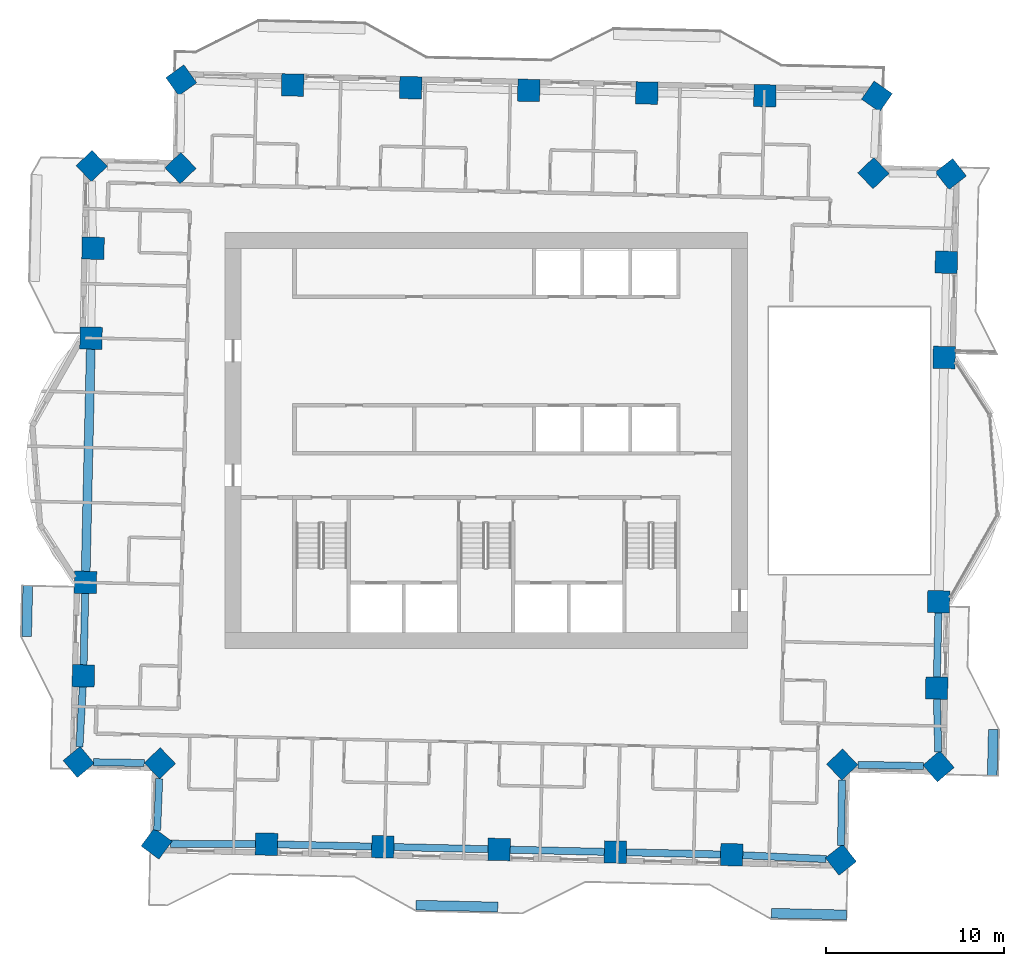
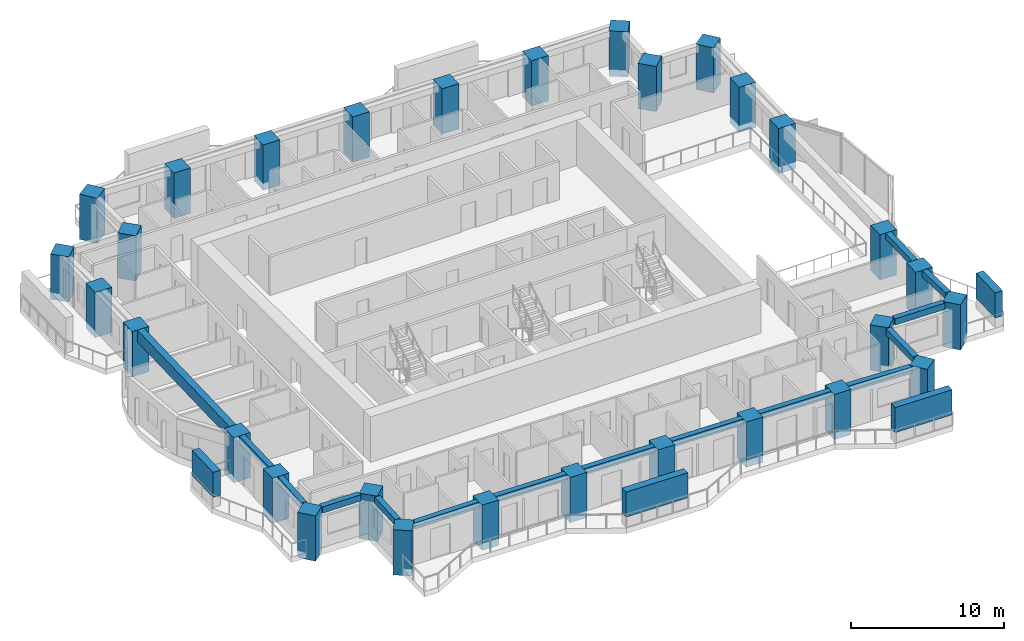
# One storey, part 1 of 15: 30 columns, 15 beams, 4 members.
"""IFC4 building model written with IfcOpenShell, lengths in metres."""

from ifc_helpers import new_model, si_unit, direction, frame, origin, origin_2d, place, context, subcontext, project, spatial, rectangle, extrude, material, material_profile, profile_set, type_object, element, save


model = new_model("IFC4")

# Units and contexts
model_context = context("Model", 3, precision=1e-05, world=origin(), true_north=direction((0.0, 1.0)))
body_context = subcontext(model_context, "Body", "Model", "MODEL_VIEW")
ifc_project = project(units=[si_unit("LENGTHUNIT", "METRE"), si_unit("AREAUNIT", "SQUARE_METRE"), si_unit("VOLUMEUNIT", "CUBIC_METRE"), si_unit("PLANEANGLEUNIT", "RADIAN"), si_unit("MASSUNIT", "GRAM", prefix="KILO")], contexts=[model_context])

# Site, building, storey
site_placement = place(None, origin())
site = spatial("IfcSite", under=ifc_project, at=site_placement, CompositionType="ELEMENT")
building_placement = place(site_placement, origin())
building = spatial("IfcBuilding", under=site, at=building_placement, Name="Mangrove Gate Tower", CompositionType="ELEMENT")
storey_placement = place(building_placement, frame((0.0, 0.0, 156.300048828125)))
storey = spatial("IfcBuildingStorey", under=building, at=storey_placement, Name="L39", CompositionType="ELEMENT", Elevation=156.300048828125)

# Columns
ifc_material_1 = material(Name="Concrete C60/75", Category="concrete")
ifc_material_profile_1 = material_profile(ifc_material_1, rectangle(XDim=1.25, YDim=1.25, at=origin_2d()))
ifc_profile_set_1 = profile_set([ifc_material_profile_1], Name="Concrete C60/75")
column_type = type_object("IfcColumnType", Name="Column RC 1250x1250 C60/75", PredefinedType="COLUMN", material=ifc_profile_set_1)
for number, where, z_axis, x_axis, name in (
    (1, (-22.565185546875, -7.979248046875, -0.550048828125), (0.0, 0.0, 1.0), (-0.022667651322, -0.999743055782, 0.0), "Column L39 W05"),
    (2, (-22.68408203125, -13.240234375, -0.550048828125), (0.0, 0.0, 1.0), (-0.022613490188, -0.999744282335, 0.0), "Column L39 W06"),
    (3, (-22.9482421875, -18.08642578125, -0.550048828125), (0.0, 0.0, 1.0), (0.640873753585, -0.767646293527, 0.0), "Column L39 W07"),
    (4, (-18.378173828125, -18.1591796875, -0.550048828125), (0.0, 0.0, 1.0), (0.690859559249, -0.722988982899, 0.0), "Column L39 W08"),
    (5, (-18.563232421875, -22.686767578125, -0.550048828125), (0.0, 0.0, 1.0), (0.804996144733, -0.593280040929, 0.0), "Column L39 S01"),
    (6, (-12.374755859375, -22.713134765625, -0.550048828125), (0.0, 0.0, 1.0), (0.999742702367, -0.022683233105, 0.0), "Column L39 S02"),
    (7, (-5.829833984375, -22.862060546875, -0.550048828125), (0.0, 0.0, 1.0), (0.999742702367, -0.022683233105, 0.0), "Column L39 S03"),
    (8, (0.715087890625, -23.01025390625, -0.550048828125), (0.0, 0.0, 1.0), (0.999742702367, -0.022683233105, 0.0), "Column L39 S04"),
    (9, (7.26025390625, -23.1591796875, -0.550048828125), (0.0, 0.0, 1.0), (0.999742702367, -0.022683233105, 0.0), "Column L39 S05"),
    (10, (13.80517578125, -23.30712890625, -0.550048828125), (0.0, 0.0, 1.0), (0.999742702367, -0.022683233105, 0.0), "Column L39 S06"),
    (11, (19.94921875, -23.590087890625, -0.550048828125), (0.0, 0.0, 1.0), (0.785651346068, 0.618669509853, 0.0), "Column L39 S07"),
    (12, (20.026123046875, -18.230224609375, -0.550048828125), (0.0, 0.0, 1.0), (0.722965976266, 0.690883635037, 0.0), "Column L39 E01"),
    (13, (25.449462890625, -18.3310546875, -0.550048828125), (0.0, 0.0, 1.0), (0.758167511602, 0.65205983188, 0.0), "Column L39 E02"),
    (14, (25.342041015625, -13.9296875, -0.550048828125), (0.0, 0.0, 1.0), (0.022726069892, 0.999741729522, 0.0), "Column L39 E03"),
    (15, (25.453125, -9.06884765625, -0.550048828125), (0.0, 0.0, 1.0), (0.022725057863, 0.999741752527, 0.0), "Column L39 E04"),
    (16, (25.76513671875, 4.67919921875, -0.550048828125), (0.0, 0.0, 1.0), (0.022654843895, 0.999743346088, 0.0), "Column L39 E05"),
    (17, (25.88623046875, 10.0390625, -0.550048828125), (0.0, 0.0, 1.0), (0.022659973846, 0.999743229827, 0.0), "Column L39 E06"),
    (18, (26.140869140625, 15.000732421875, -0.550048828125), (0.0, 0.0, 1.0), (-0.616591984417, 0.787282874672, 0.0), "Column L39 E07"),
    (19, (21.7822265625, 15.05419921875, -0.550048828125), (0.0, 0.0, 1.0), (-0.690854032309, 0.722994264183, 0.0), "Column L39 E08"),
    (20, (21.977294921875, 19.371826171875, -0.550048828125), (0.0, 0.0, 1.0), (-0.821084149613, 0.570807164684, 0.0), "Column L39 N01"),
    (21, (15.6748046875, 19.4111328125, -0.550048828125), (0.0, 0.0, 1.0), (-0.999741913136, 0.022717991104, 0.0), "Column L39 N02"),
    (22, (9.02978515625, 19.562255859375, -0.550048828125), (0.0, 0.0, 1.0), (-0.999741913136, 0.022717991104, 0.0), "Column L39 N03"),
    (23, (2.384765625, 19.713134765625, -0.550048828125), (0.0, 0.0, 1.0), (-0.999743618843, 0.022642804212, 0.0), "Column L39 N04"),
    (24, (-4.26025390625, 19.86328125, -0.550048828125), (0.0, 0.0, 1.0), (-0.999743618843, 0.022642804212, 0.0), "Column L39 N05"),
    (25, (-10.9052734375, 20.01416015625, -0.550048828125), (0.0, 0.0, 1.0), (-0.999741913136, 0.022717991104, 0.0), "Column L39 N06"),
    (26, (-17.171630859375, 20.2822265625, -0.550048828125), (0.0, 0.0, 1.0), (-0.812545678333, -0.582897521545, 0.0), "Column L39 N07"),
    (27, (-17.21728515625, 15.339111328125, -0.550048828125), (0.0, 0.0, 1.0), (-0.722976563275, -0.690872556232, 0.0), "Column L39 W01"),
    (28, (-22.21337890625, 15.455810546875, -0.550048828125), (0.0, 0.0, 1.0), (-0.718744863036, -0.695273918581, 0.0), "Column L39 W02"),
    (29, (-22.13818359375, 10.829833984375, -0.550048828125), (0.0, 0.0, 1.0), (-0.022716926728, -0.999741937322, 0.0), "Column L39 W03"),
    (30, (-22.253173828125, 5.768798828125, -0.550048828125), (0.0, 0.0, 1.0), (-0.022696057972, -0.9997424113, 0.0), "Column L39 W04"),
):
    element("IfcColumn", number, at=place(storey_placement, frame(where, z_axis=z_axis, x_axis=x_axis)), inside=storey, type_object=column_type, Name=name, PredefinedType="COLUMN", context=body_context, shape_type="SweptSolid", body=[
        extrude(rectangle(XDim=1.25, YDim=1.25, at=origin_2d()), origin(), (0.0, 0.0, 1.0), 3.60009765625),
    ])

# Members
ifc_material_2 = material(Name="Planting on aluminium trellis", Category="aluminium")
ifc_material_profile_2 = material_profile(ifc_material_2, rectangle(XDim=0.550048828125, YDim=2.0, at=origin_2d()))
ifc_profile_set_2 = profile_set([ifc_material_profile_2], Name="Planting on aluminium trellis")
member_type = type_object("IfcMemberType", Name="Balcony greenery screen 550x2000", PredefinedType="USERDEFINED", material=ifc_profile_set_2)
member_1_placement = place(storey_placement, frame((28.470947265625, -18.864013671875, 1.800048828125), z_axis=(0.022725671683, 0.999741738574, 0.0), x_axis=(-0.999741738574, 0.022725671683, 0.0)))
element("IfcMember", 31, at=member_1_placement, inside=storey, type_object=member_type, Name="GREEN SCREEN L39 E0.1", ObjectType="PLANTING", PredefinedType="USERDEFINED", context=body_context, shape_type="SweptSolid", body=[
    extrude(rectangle(XDim=0.550048828125, YDim=2.0, at=origin_2d()), origin(), (0.0, 0.0, 1.0), 2.599853515625),
])
member_2_placement = place(storey_placement, frame((-25.875, -11.029052734375, 1.800048828125), z_axis=(0.022590224177, 0.999744808324, 0.0), x_axis=(-0.999744808324, 0.022590224177, 0.0)))
element("IfcMember", 32, at=member_2_placement, inside=storey, type_object=member_type, Name="GREEN SCREEN L39 W1.1", ObjectType="PLANTING", PredefinedType="USERDEFINED", context=body_context, shape_type="SweptSolid", body=[
    extrude(rectangle(XDim=0.550048828125, YDim=2.0, at=origin_2d()), origin(), (0.0, 0.0, 1.0), 2.874755859375),
])
member_3_placement = place(storey_placement, frame((-3.95703125, -26.14501953125, 1.800048828125), z_axis=(0.999739473419, -0.022825102133, 0.0), x_axis=(0.022825102133, 0.999739473419, 0.0)))
element("IfcMember", 33, at=member_3_placement, inside=storey, type_object=member_type, Name="GREEN SCREEN L39 S0.1", ObjectType="PLANTING", PredefinedType="USERDEFINED", context=body_context, shape_type="SweptSolid", body=[
    extrude(rectangle(XDim=0.550048828125, YDim=2.0, at=origin_2d()), origin(), (0.0, 0.0, 1.0), 4.599365234375),
])
member_4_placement = place(storey_placement, frame((16.037109375, -26.59912109375, 1.800048828125), z_axis=(0.999743912282, -0.022629844346, 0.0), x_axis=(0.022629844346, 0.999743912282, 0.0)))
element("IfcMember", 34, at=member_4_placement, inside=storey, type_object=member_type, Name="GREEN SCREEN L39 S1.1", ObjectType="PLANTING", PredefinedType="USERDEFINED", context=body_context, shape_type="SweptSolid", body=[
    extrude(rectangle(XDim=0.550048828125, YDim=2.0, at=origin_2d()), origin(), (0.0, 0.0, 1.0), 4.23974609375),
])

# Beams
ifc_material_3 = material(Name="Concrete C50/60", Category="concrete")
ifc_material_profile_3 = material_profile(ifc_material_3, rectangle(XDim=0.39990234375, YDim=0.5, at=origin_2d()))
ifc_profile_set_3 = profile_set([ifc_material_profile_3], Name="Concrete C50/60")
beam_type_1 = type_object("IfcBeamType", Name="Edge beam RC 400x500 C50/60", PredefinedType="BEAM", material=ifc_profile_set_3)
beam_1_placement = place(storey_placement, frame((-22.579345703125, -8.60400390625, 2.800048828125), z_axis=(-0.02257489059, -0.999745154684, 0.0), x_axis=(0.999745154684, -0.02257489059, 0.0)))
element("IfcBeam", 35, at=beam_1_placement, inside=storey, type_object=beam_type_1, Name="Edge beam L39 00", PredefinedType="BEAM", context=body_context, shape_type="SweptSolid", body=[
    extrude(rectangle(XDim=0.39990234375, YDim=0.5, at=origin_2d()), origin(), (0.0, 0.0, 1.0), 4.01220703125),
])
beam_2_placement = place(storey_placement, frame((-22.71826171875, -13.864501953125, 2.800048828125), z_axis=(-0.054415957845, -0.998518354129, 0.0), x_axis=(0.998518354129, -0.054415957845, 0.0)))
element("IfcBeam", 36, at=beam_2_placement, inside=storey, type_object=beam_type_1, Name="Edge beam L39 01", PredefinedType="BEAM", context=body_context, shape_type="SweptSolid", body=[
    extrude(rectangle(XDim=0.39990234375, YDim=0.5, at=origin_2d()), origin(), (0.0, 0.0, 1.0), 3.373779296875),
])
beam_3_placement = place(storey_placement, frame((-22.123046875, -18.099609375, 2.800048828125), z_axis=(0.999873252746, -0.015921006324, 0.0), x_axis=(0.015921006324, 0.999873252746, 0.0)))
element("IfcBeam", 37, at=beam_3_placement, inside=storey, type_object=beam_type_1, Name="Edge beam L39 02", PredefinedType="BEAM", context=body_context, shape_type="SweptSolid", body=[
    extrude(rectangle(XDim=0.39990234375, YDim=0.5, at=origin_2d()), origin(), (0.0, 0.0, 1.0), 2.867431640625),
])
beam_4_placement = place(storey_placement, frame((-18.41357421875, -19.02685546875, 2.800048828125), z_axis=(-0.040876425579, -0.999164209643, 0.0), x_axis=(0.999164209643, -0.040876425579, 0.0)))
element("IfcBeam", 38, at=beam_4_placement, inside=storey, type_object=beam_type_1, Name="Edge beam L39 03", PredefinedType="BEAM", context=body_context, shape_type="SweptSolid", body=[
    extrude(rectangle(XDim=0.39990234375, YDim=0.5, at=origin_2d()), origin(), (0.0, 0.0, 1.0), 2.90869140625),
])
beam_5_placement = place(storey_placement, frame((-17.789306640625, -22.690185546875, 2.800048828125), z_axis=(0.999991049338, -0.004230986241, 0.0), x_axis=(0.004230986241, 0.999991049338, 0.0)))
element("IfcBeam", 39, at=beam_5_placement, inside=storey, type_object=beam_type_1, Name="Edge beam L39 04", PredefinedType="BEAM", context=body_context, shape_type="SweptSolid", body=[
    extrude(rectangle(XDim=0.39990234375, YDim=0.5, at=origin_2d()), origin(), (0.0, 0.0, 1.0), 4.789306640625),
])
for number, where, z_axis, x_axis, name in (
    (40, (-11.75, -22.727294921875, 2.800048828125), (0.999740739783, -0.022769567794, 0.0), (0.022769567794, 0.999740739783, 0.0), "Edge beam L39 05"),
    (41, (-5.205078125, -22.876220703125, 2.800048828125), (0.999743877925, -0.022631362105, 0.0), (0.022631362105, 0.999743877925, 0.0), "Edge beam L39 06"),
):
    element("IfcBeam", number, at=place(storey_placement, frame(where, z_axis=z_axis, x_axis=x_axis)), inside=storey, type_object=beam_type_1, Name=name, PredefinedType="BEAM", context=body_context, shape_type="SweptSolid", body=[
        extrude(rectangle(XDim=0.39990234375, YDim=0.5, at=origin_2d()), origin(), (0.0, 0.0, 1.0), 5.296875),
    ])
beam_6_placement = place(storey_placement, frame((1.340087890625, -23.0244140625, 2.800048828125), z_axis=(0.999740715885, -0.022770617071, 0.0), x_axis=(0.022770617071, 0.999740715885, 0.0)))
element("IfcBeam", 42, at=beam_6_placement, inside=storey, type_object=beam_type_1, Name="Edge beam L39 07", PredefinedType="BEAM", context=body_context, shape_type="SweptSolid", body=[
    extrude(rectangle(XDim=0.39990234375, YDim=0.5, at=origin_2d()), origin(), (0.0, 0.0, 1.0), 5.296630859375),
])
beam_7_placement = place(storey_placement, frame((7.885009765625, -23.17333984375, 2.800048828125), z_axis=(0.999744919731, -0.022585293253, 0.0), x_axis=(0.022585293253, 0.999744919731, 0.0)))
element("IfcBeam", 43, at=beam_7_placement, inside=storey, type_object=beam_type_1, Name="Edge beam L39 08", PredefinedType="BEAM", context=body_context, shape_type="SweptSolid", body=[
    extrude(rectangle(XDim=0.39990234375, YDim=0.5, at=origin_2d()), origin(), (0.0, 0.0, 1.0), 5.296875),
])
beam_8_placement = place(storey_placement, frame((14.4296875, -23.3359375, 2.800048828125), z_axis=(0.998942344902, -0.045980338859, 0.0), x_axis=(0.045980338859, 0.998942344902, 0.0)))
element("IfcBeam", 44, at=beam_8_placement, inside=storey, type_object=beam_type_1, Name="Edge beam L39 09", PredefinedType="BEAM", context=body_context, shape_type="SweptSolid", body=[
    extrude(rectangle(XDim=0.39990234375, YDim=0.5, at=origin_2d()), origin(), (0.0, 0.0, 1.0), 4.698974609375),
])
beam_9_placement = place(storey_placement, frame((19.9609375, -22.785400390625, 2.800048828125), z_axis=(0.014333541957, 0.999897269511, 0.0), x_axis=(-0.999897269511, 0.014333541957, 0.0)))
element("IfcBeam", 45, at=beam_9_placement, inside=storey, type_object=beam_type_1, Name="Edge beam L39 10", PredefinedType="BEAM", context=body_context, shape_type="SweptSolid", body=[
    extrude(rectangle(XDim=0.39990234375, YDim=0.5, at=origin_2d()), origin(), (0.0, 0.0, 1.0), 3.67919921875),
])
beam_10_placement = place(storey_placement, frame((20.90625, -18.24658203125, 2.800048828125), z_axis=(0.999827422602, -0.018577540566, 0.0), x_axis=(0.018577540566, 0.999827422602, 0.0)))
element("IfcBeam", 46, at=beam_10_placement, inside=storey, type_object=beam_type_1, Name="Edge beam L39 11", PredefinedType="BEAM", context=body_context, shape_type="SweptSolid", body=[
    extrude(rectangle(XDim=0.39990234375, YDim=0.5, at=origin_2d()), origin(), (0.0, 0.0, 1.0), 3.7060546875),
])
beam_11_placement = place(storey_placement, frame((25.4296875, -17.523681640625, 2.800048828125), z_axis=(-0.024338897392, 0.999703765159, 0.0), x_axis=(-0.999703765159, -0.024338897392, 0.0)))
element("IfcBeam", 47, at=beam_11_placement, inside=storey, type_object=beam_type_1, Name="Edge beam L39 12", PredefinedType="BEAM", context=body_context, shape_type="SweptSolid", body=[
    extrude(rectangle(XDim=0.39990234375, YDim=0.5, at=origin_2d()), origin(), (0.0, 0.0, 1.0), 2.96923828125),
])
beam_12_placement = place(storey_placement, frame((25.3564453125, -13.304931640625, 2.800048828125), z_axis=(0.022844226229, 0.999739036613, 0.0), x_axis=(-0.999739036613, 0.022844226229, 0.0)))
element("IfcBeam", 48, at=beam_12_placement, inside=storey, type_object=beam_type_1, Name="Edge beam L39 13", PredefinedType="BEAM", context=body_context, shape_type="SweptSolid", body=[
    extrude(rectangle(XDim=0.39990234375, YDim=0.5, at=origin_2d()), origin(), (0.0, 0.0, 1.0), 3.6123046875),
])
ifc_material_4 = material(Name="Concrete C50/60", Category="concrete")
ifc_material_profile_4 = material_profile(ifc_material_4, rectangle(XDim=0.5, YDim=0.949951171875, at=origin_2d()))
ifc_profile_set_4 = profile_set([ifc_material_profile_4], Name="Concrete C50/60")
beam_type_2 = type_object("IfcBeamType", Name="Edge beam RC 500x950 C50/60", PredefinedType="BEAM", material=ifc_profile_set_4)
beam_13_placement = place(storey_placement, frame((-22.267333984375, 5.14404296875, 2.574951171875), z_axis=(-0.02269257074, -0.999742490461, 0.0), x_axis=(0.999742490461, -0.02269257074, 0.0)))
element("IfcBeam", 49, at=beam_13_placement, inside=storey, type_object=beam_type_2, Name="Edge beam L39 29", PredefinedType="BEAM", context=body_context, shape_type="SweptSolid", body=[
    extrude(rectangle(XDim=0.5, YDim=0.949951171875, at=origin_2d()), origin(), (0.0, 0.0, 1.0), 12.50146484375),
])

save(model, "model.ifc")
